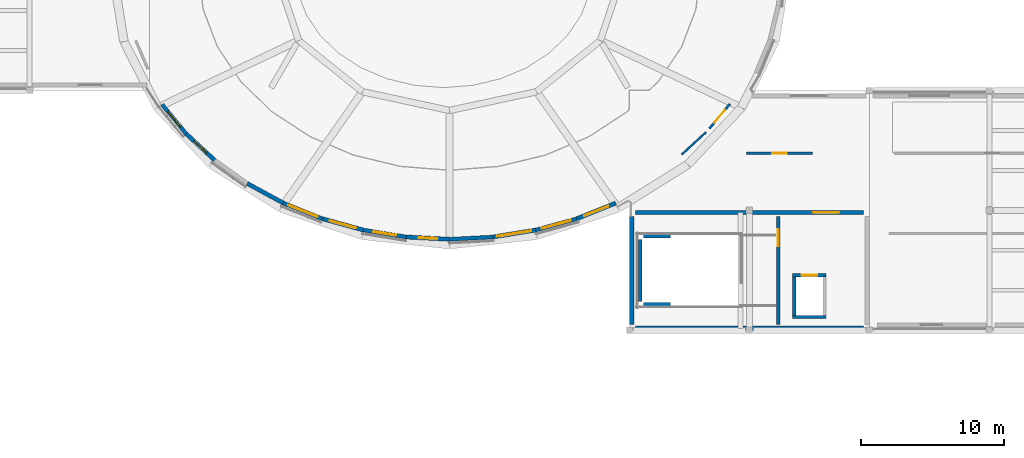
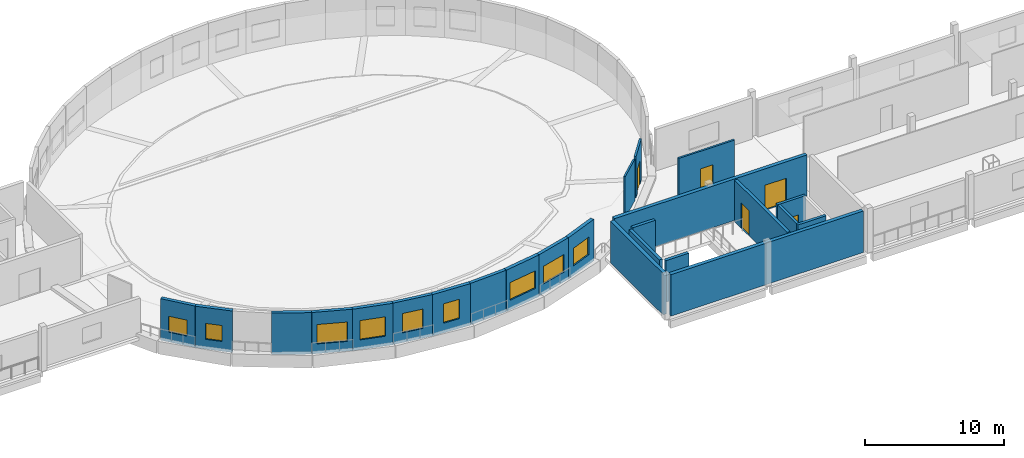
# One storey, part 7 of 16: 24 walls, 9 windows, 5 doors, 14 openings.
"""IFC4 building model written with IfcOpenShell, lengths in metres."""

from ifc_helpers import new_model, si_unit, derived_unit, direction, frame, frame_2d, origin, place, context, subcontext, project, spatial, rectangle, extrude, material, layer, layer_set, type_object, element, fill, save


model = new_model("IFC4")

# Units and contexts
model_context = context("Model", 3, precision=1e-05, world=origin(), true_north=direction((0.0, 1.0)))
body_context = subcontext(model_context, "Body", "Model", "MODEL_VIEW")
ifc_project = project(units=[si_unit("LENGTHUNIT", "METRE"), si_unit("AREAUNIT", "SQUARE_METRE"), si_unit("VOLUMEUNIT", "CUBIC_METRE"), si_unit("PLANEANGLEUNIT", "RADIAN"), si_unit("MASSUNIT", "GRAM", prefix="KILO"), derived_unit("THERMALTRANSMITTANCEUNIT", [(si_unit("POWERUNIT", "WATT"), 1), (si_unit("LENGTHUNIT", "METRE"), -2), (si_unit("THERMODYNAMICTEMPERATUREUNIT", "KELVIN"), -1)])], contexts=[model_context])

# Site, building, storey
site_placement = place(None, origin())
site = spatial("IfcSite", under=ifc_project, at=site_placement, CompositionType="ELEMENT")
building_placement = place(site_placement, origin())
building = spatial("IfcBuilding", under=site, at=building_placement, Name="Elbkamm Science Centre", CompositionType="ELEMENT")
storey_placement = place(building_placement, frame((0.0, 0.0, 21.60009765625)))
storey = spatial("IfcBuildingStorey", under=building, at=storey_placement, Name="L05", CompositionType="ELEMENT", Elevation=21.60009765625)

# Walls
ifc_material_1 = material(Name="Reinforced concrete C40/50", Category="concrete")
ifc_layer_1 = layer(ifc_material_1, 0.25)
ifc_layer_set_1 = layer_set([ifc_layer_1], Name="Reinforced concrete C40/50")
wall_type_1 = type_object("IfcWallType", Name="WL-CORE-250", PredefinedType="SHEAR", material=ifc_layer_set_1)
wall_1_placement = place(storey_placement, frame((76.340087890625, 44.02001953125, 0.0), z_axis=(0.0, 0.0, 1.0), x_axis=(0.0, 1.0, 0.0)))
element("IfcWall", 1, at=wall_1_placement, inside=storey, type_object=wall_type_1, Name="L05 ST-C2 Shaft Bearing Wall W", PredefinedType="SHEAR", context=body_context, shape_type="SweptSolid", body=[
    extrude(rectangle(XDim=4.35986328125, YDim=0.25, at=frame_2d((2.179931640625, 0.0))), origin(), (0.0, 0.0, 1.0), 3.639892578125),
])
for number, where, z_axis, x_axis, name in (
    (2, (76.590087890625, 43.820068359375, 0.0), (0.0, 0.0, 1.0), (1.0, 0.0, 0.0), "L05 ST-C2 Shaft Bearing Wall S"),
    (3, (76.590087890625, 48.580078125, 0.0), (0.0, 0.0, 1.0), (1.0, 0.0, 0.0), "L05 ST-C2 Shaft Bearing Wall N"),
):
    element("IfcWall", number, at=place(storey_placement, frame(where, z_axis=z_axis, x_axis=x_axis)), inside=storey, type_object=wall_type_1, Name=name, PredefinedType="SHEAR", context=body_context, shape_type="SweptSolid", body=[
        extrude(rectangle(XDim=1.889892578125, YDim=0.25, at=frame_2d((0.94482421875, 0.0))), origin(), (0.0, 0.0, 1.0), 3.639892578125),
    ])

# Wall, opening, door
wall_2_placement = place(storey_placement, frame((86.02001953125, 42.419921875, 0.0), z_axis=(0.0, 0.0, 1.0), x_axis=(0.0, 1.0, 0.0)))
wall_2 = element("IfcWall", 4, at=wall_2_placement, inside=storey, type_object=wall_type_1, Name="L05 C2 Stairwell Compartment Wall", PredefinedType="SHEAR", context=body_context, shape_type="SweptSolid", body=[
    extrude(rectangle(XDim=7.56005859375, YDim=0.25, at=frame_2d((3.780029296875, 0.0))), origin(), (0.0, 0.0, 1.0), 3.639892578125),
])
opening_1_placement = place(wall_2_placement, frame((5.4599609375, 0.0, 0.0)))
opening_1 = element("IfcOpeningElement", 5, at=opening_1_placement, cuts=wall_2, Name="Opening DC-02", PredefinedType="OPENING", context=body_context, shape_type="SweptSolid", body=[
    extrude(rectangle(XDim=1.199951171875, YDim=2.199951171875, at=frame_2d((0.60009765625, 1.10009765625))), frame((0.0, 0.136962890625, 0.0), z_axis=(0.0, -1.0, 0.0), x_axis=(1.0, 0.0, 0.0)), (0.0, 0.0, 1.0), 0.27392578125),
])
ifc_material_2 = material(Name="Fire-rated steel acoustic door", Category="steel")
ifc_layer_2 = layer(ifc_material_2, 0.050048828125)
ifc_layer_set_2 = layer_set([ifc_layer_2], Name="Fire-rated steel acoustic door")
door_type_1 = type_object("IfcDoorType", Name="DR-CORE-1200x2200", OperationType="NOTDEFINED", PredefinedType="DOOR", material=ifc_layer_set_2)
door_1_placement = place(opening_1_placement, origin())
door_1 = element("IfcDoor", 6, at=door_1_placement, inside=storey, type_object=door_type_1, Name="L05 ST-C2 Stairwell Fire Door", OperationType="SINGLE_SWING_RIGHT", OverallHeight=2.199951171875, OverallWidth=1.199951171875, PredefinedType="DOOR", context=body_context, shape_type="SweptSolid", body=[
    extrude(rectangle(XDim=1.199951171875, YDim=2.199951171875, at=frame_2d((0.60009765625, 1.10009765625))), frame((0.0, 0.02490234375, 0.0), z_axis=(0.0, -1.0, 0.0), x_axis=(1.0, 0.0, 0.0)), (0.0, 0.0, 1.0), 0.050048828125),
])
fill(opening_1, door_1)

# Wall
ifc_layer_3 = layer(ifc_material_1, 0.300048828125)
ifc_layer_set_3 = layer_set([ifc_layer_3], Name="Reinforced concrete C40/50")
wall_type_2 = type_object("IfcWallType", Name="WL-CORE-300", PredefinedType="SHEAR", material=ifc_layer_set_3)
wall_3_placement = place(storey_placement, frame((76.02001953125, 42.14990234375, 0.0), z_axis=(0.0, 0.0, 1.0), x_axis=(1.0, 0.0, 0.0)))
element("IfcWall", 7, at=wall_3_placement, inside=storey, type_object=wall_type_2, Name="L05 Core C2 Central Exhibition and Skybridge Core Shear Wall S", PredefinedType="SHEAR", context=body_context, shape_type="SweptSolid", body=[
    extrude(rectangle(XDim=15.9599609375, YDim=0.300048828125, at=frame_2d((7.97998046875, 0.0))), origin(), (0.0, 0.0, 1.0), 3.639892578125),
])

# Wall, opening, door
wall_4_placement = place(storey_placement, frame((76.02001953125, 50.25, 0.0), z_axis=(0.0, 0.0, 1.0), x_axis=(1.0, 0.0, 0.0)))
wall_4 = element("IfcWall", 8, at=wall_4_placement, inside=storey, type_object=wall_type_2, Name="L05 Core C2 Central Exhibition and Skybridge Core Shear Wall N", PredefinedType="SHEAR", context=body_context, shape_type="SweptSolid", body=[
    extrude(rectangle(XDim=15.9599609375, YDim=0.300048828125, at=frame_2d((7.97998046875, 0.0))), origin(), (0.0, 0.0, 1.0), 3.639892578125),
])
opening_2_placement = place(wall_4_placement, frame((12.4599609375, 0.0, 0.0)))
opening_2 = element("IfcOpeningElement", 9, at=opening_2_placement, cuts=wall_4, Name="Opening DC-01", PredefinedType="OPENING", context=body_context, shape_type="SweptSolid", body=[
    extrude(rectangle(XDim=1.800048828125, YDim=2.199951171875, at=frame_2d((0.89990234375, 1.10009765625))), frame((0.0, 0.162109375, 0.0), z_axis=(0.0, -1.0, 0.0), x_axis=(1.0, 0.0, 0.0)), (0.0, 0.0, 1.0), 0.323974609375),
])
ifc_layer_4 = layer(ifc_material_2, 0.050048828125)
ifc_layer_set_4 = layer_set([ifc_layer_4], Name="Fire-rated steel acoustic door")
door_type_2 = type_object("IfcDoorType", Name="DR-CORE-1800x2200", OperationType="DOUBLE_DOOR_SINGLE_SWING", PredefinedType="DOOR", material=ifc_layer_set_4)
door_2_placement = place(opening_2_placement, origin())
door_2 = element("IfcDoor", 10, at=door_2_placement, inside=storey, type_object=door_type_2, Name="L05 C2 Core Lobby Fire Door", OperationType="DOUBLE_DOOR_SINGLE_SWING", OverallHeight=2.199951171875, OverallWidth=1.800048828125, PredefinedType="DOOR", context=body_context, shape_type="SweptSolid", body=[
    extrude(rectangle(XDim=1.800048828125, YDim=2.199951171875, at=frame_2d((0.89990234375, 1.10009765625))), frame((0.0, 0.02490234375, 0.0), z_axis=(0.0, -1.0, 0.0), x_axis=(1.0, 0.0, 0.0)), (0.0, 0.0, 1.0), 0.050048828125),
])
fill(opening_2, door_2)

# Wall
wall_5_placement = place(storey_placement, frame((75.75, 42.419921875, 0.0), z_axis=(0.0, 0.0, 1.0), x_axis=(0.0, 1.0, 0.0)))
element("IfcWall", 11, at=wall_5_placement, inside=storey, type_object=wall_type_2, Name="L05 Core C2 Central Exhibition and Skybridge Core Shear Wall W", PredefinedType="SHEAR", context=body_context, shape_type="SweptSolid", body=[
    extrude(rectangle(XDim=7.56005859375, YDim=0.300048828125, at=frame_2d((3.780029296875, 0.0))), origin(), (0.0, 0.0, 1.0), 3.639892578125),
])

# Wall, opening, window
ifc_material_3 = material(Name="White precast concrete C40/50", Category="concrete")
ifc_layer_5 = layer(ifc_material_3, 0.27001953125)
ifc_layer_set_5 = layer_set([ifc_layer_5], Name="White precast concrete C40/50")
wall_type_3 = type_object("IfcWallType", Name="WL-EXT-270", PredefinedType="SOLIDWALL", material=ifc_layer_set_5)
wall_6_placement = place(storey_placement, frame((71.90966796875, 49.822021484375, 0.0), z_axis=(0.0, 0.0, 1.0), x_axis=(-0.963916809665, -0.26620365145, 0.0)))
wall_6 = element("IfcWall", 12, at=wall_6_placement, inside=storey, type_object=wall_type_3, Name="L05 Exterior Wall 0347", PredefinedType="SOLIDWALL", context=body_context, shape_type="SweptSolid", body=[
    extrude(rectangle(XDim=2.99072265625, YDim=0.27001953125, at=frame_2d((1.495361328125, 0.0))), origin(), (0.0, 0.0, 1.0), 3.639892578125),
])
opening_3_placement = place(wall_6_placement, frame((0.4453125, 0.0, 0.85009765625)))
opening_3 = element("IfcOpeningElement", 13, at=opening_3_placement, cuts=wall_6, Name="Opening W-12", PredefinedType="OPENING", context=body_context, shape_type="SweptSolid", body=[
    extrude(rectangle(XDim=2.10009765625, YDim=1.550048828125, at=frame_2d((1.050048828125, 0.77490234375))), frame((0.0, 0.14697265625, 0.0), z_axis=(0.0, -1.0, 0.0), x_axis=(1.0, 0.0, 0.0)), (0.0, 0.0, 1.0), 0.2939453125),
])
ifc_material_4 = material(Name="Thermally broken aluminium and triple solar glass", Category="aluminium")
ifc_layer_6 = layer(ifc_material_4, 0.06005859375)
ifc_layer_set_6 = layer_set([ifc_layer_6], Name="Thermally broken aluminium and triple solar glass")
window_type_1 = type_object("IfcWindowType", Name="WIN-2100x1550", PartitioningType="DOUBLE_PANEL_VERTICAL", PredefinedType="WINDOW", material=ifc_layer_set_6)
window_1_placement = place(opening_3_placement, origin())
window_1 = element("IfcWindow", 14, at=window_1_placement, inside=storey, type_object=window_type_1, Name="L05 Facade Window 0111", OverallHeight=1.550048828125, OverallWidth=2.10009765625, PartitioningType="SINGLE_PANEL", PredefinedType="WINDOW", context=body_context, shape_type="SweptSolid", body=[
    extrude(rectangle(XDim=2.10009765625, YDim=1.550048828125, at=frame_2d((1.050048828125, 0.77490234375))), frame((0.0, 0.030029296875, 0.0), z_axis=(0.0, -1.0, 0.0), x_axis=(1.0, 0.0, 0.0)), (0.0, 0.0, 1.0), 0.06005859375),
])
fill(opening_3, window_1)

# Wall
wall_7_placement = place(storey_placement, frame((66.039794921875, 48.542724609375, 0.0), z_axis=(0.0, 0.0, 1.0), x_axis=(-0.998581032149, -0.053253377668, 0.0)))
element("IfcWall", 15, at=wall_7_placement, inside=storey, type_object=wall_type_3, Name="L05 Exterior Wall 0349", PredefinedType="SOLIDWALL", context=body_context, shape_type="SweptSolid", body=[
    extrude(rectangle(XDim=3.044189453125, YDim=0.27001953125, at=frame_2d((1.52197265625, 0.0))), origin(), (0.0, 0.0, 1.0), 3.639892578125),
])

# Wall, opening, window
wall_8_placement = place(storey_placement, frame((59.960205078125, 48.542724609375, 0.0), z_axis=(0.0, 0.0, 1.0), x_axis=(-0.987169830198, 0.159673812339, 0.0)))
wall_8 = element("IfcWall", 16, at=wall_8_placement, inside=storey, type_object=wall_type_3, Name="L05 Exterior Wall 0351", PredefinedType="SOLIDWALL", context=body_context, shape_type="SweptSolid", body=[
    extrude(rectangle(XDim=3.02587890625, YDim=0.27001953125, at=frame_2d((1.512939453125, 0.0))), origin(), (0.0, 0.0, 1.0), 3.639892578125),
])
opening_4_placement = place(wall_8_placement, frame((0.712890625, 0.0, 0.85009765625)))
opening_4 = element("IfcOpeningElement", 17, at=opening_4_placement, cuts=wall_8, Name="Opening W-16", PredefinedType="OPENING", context=body_context, shape_type="SweptSolid", body=[
    extrude(rectangle(XDim=1.60009765625, YDim=1.699951171875, at=frame_2d((0.800048828125, 0.85009765625))), frame((0.0, 0.14697265625, 0.0), z_axis=(0.0, -1.0, 0.0), x_axis=(1.0, 0.0, 0.0)), (0.0, 0.0, 1.0), 0.2939453125),
])
ifc_layer_7 = layer(ifc_material_4, 0.06005859375)
ifc_layer_set_7 = layer_set([ifc_layer_7], Name="Thermally broken aluminium and triple solar glass")
window_type_2 = type_object("IfcWindowType", Name="WIN-1600x1700", PartitioningType="SINGLE_PANEL", PredefinedType="WINDOW", material=ifc_layer_set_7)
window_2_placement = place(opening_4_placement, origin())
window_2 = element("IfcWindow", 18, at=window_2_placement, inside=storey, type_object=window_type_2, Name="L05 Facade Window 0115", OverallHeight=1.699951171875, OverallWidth=1.60009765625, PartitioningType="SINGLE_PANEL", PredefinedType="WINDOW", context=body_context, shape_type="SweptSolid", body=[
    extrude(rectangle(XDim=1.60009765625, YDim=1.699951171875, at=frame_2d((0.800048828125, 0.85009765625))), frame((0.0, 0.030029296875, 0.0), z_axis=(0.0, -1.0, 0.0), x_axis=(1.0, 0.0, 0.0)), (0.0, 0.0, 1.0), 0.06005859375),
])
fill(opening_4, window_2)

wall_9_placement = place(storey_placement, frame((54.09033203125, 49.822021484375, 0.0), z_axis=(0.0, 0.0, 1.0), x_axis=(-0.928075222518, 0.372392778324, 0.0)))
wall_9 = element("IfcWall", 19, at=wall_9_placement, inside=storey, type_object=wall_type_3, Name="L05 Exterior Wall 0353", PredefinedType="SOLIDWALL", context=body_context, shape_type="SweptSolid", body=[
    extrude(rectangle(XDim=2.939697265625, YDim=0.27001953125, at=frame_2d((1.4697265625, 0.0))), origin(), (0.0, 0.0, 1.0), 3.639892578125),
])
opening_5_placement = place(wall_9_placement, frame((0.369873046875, 0.0, 0.85009765625)))
opening_5 = element("IfcOpeningElement", 20, at=opening_5_placement, cuts=wall_9, Name="Opening W-18", PredefinedType="OPENING", context=body_context, shape_type="SweptSolid", body=[
    extrude(rectangle(XDim=2.199951171875, YDim=1.699951171875, at=frame_2d((1.10009765625, 0.85009765625))), frame((0.0, 0.14697265625, 0.0), z_axis=(0.0, -1.0, 0.0), x_axis=(1.0, 0.0, 0.0)), (0.0, 0.0, 1.0), 0.2939453125),
])
ifc_layer_8 = layer(ifc_material_4, 0.06005859375)
ifc_layer_set_8 = layer_set([ifc_layer_8], Name="Thermally broken aluminium and triple solar glass")
window_type_3 = type_object("IfcWindowType", Name="WIN-2200x1700", PartitioningType="DOUBLE_PANEL_VERTICAL", PredefinedType="WINDOW", material=ifc_layer_set_8)
window_3_placement = place(opening_5_placement, origin())
window_3 = element("IfcWindow", 21, at=window_3_placement, inside=storey, type_object=window_type_3, Name="L05 Facade Window 0117", OverallHeight=1.699951171875, OverallWidth=2.199951171875, PartitioningType="SINGLE_PANEL", PredefinedType="WINDOW", context=body_context, shape_type="SweptSolid", body=[
    extrude(rectangle(XDim=2.199951171875, YDim=1.699951171875, at=frame_2d((1.10009765625, 0.85009765625))), frame((0.0, 0.030029296875, 0.0), z_axis=(0.0, -1.0, 0.0), x_axis=(1.0, 0.0, 0.0)), (0.0, 0.0, 1.0), 0.06005859375),
])
fill(opening_5, window_3)

wall_10_placement = place(storey_placement, frame((44.55419921875, 55.77294921875, 0.0), z_axis=(0.0, 0.0, 1.0), x_axis=(-0.634656882202, 0.772794048809, 0.0)))
wall_10 = element("IfcWall", 22, at=wall_10_placement, inside=storey, type_object=wall_type_3, Name="L05 Exterior Wall 0357", PredefinedType="SOLIDWALL", context=body_context, shape_type="SweptSolid", body=[
    extrude(rectangle(XDim=2.6494140625, YDim=0.27001953125, at=frame_2d((1.32470703125, 0.0))), origin(), (0.0, 0.0, 1.0), 3.639892578125),
])
opening_6_placement = place(wall_10_placement, frame((0.624755859375, 0.0, 0.85009765625)))
opening_6 = element("IfcOpeningElement", 23, at=opening_6_placement, cuts=wall_10, Name="Opening W-02", PredefinedType="OPENING", context=body_context, shape_type="SweptSolid", body=[
    extrude(rectangle(XDim=1.39990234375, YDim=1.39990234375, at=frame_2d((0.699951171875, 0.699951171875))), frame((0.0, 0.14697265625, 0.0), z_axis=(0.0, -1.0, 0.0), x_axis=(1.0, 0.0, 0.0)), (0.0, 0.0, 1.0), 0.2939453125),
])
ifc_layer_9 = layer(ifc_material_4, 0.06005859375)
ifc_layer_set_9 = layer_set([ifc_layer_9], Name="Thermally broken aluminium and triple solar glass")
window_type_4 = type_object("IfcWindowType", Name="WIN-1400x1400", PartitioningType="SINGLE_PANEL", PredefinedType="WINDOW", material=ifc_layer_set_9)
window_4_placement = place(opening_6_placement, origin())
window_4 = element("IfcWindow", 24, at=window_4_placement, inside=storey, type_object=window_type_4, Name="L05 Facade Window 0121", OverallHeight=1.39990234375, OverallWidth=1.39990234375, PartitioningType="SINGLE_PANEL", PredefinedType="WINDOW", context=body_context, shape_type="SweptSolid", body=[
    extrude(rectangle(XDim=1.39990234375, YDim=1.39990234375, at=frame_2d((0.699951171875, 0.699951171875))), frame((0.0, 0.030029296875, 0.0), z_axis=(0.0, -1.0, 0.0), x_axis=(1.0, 0.0, 0.0)), (0.0, 0.0, 1.0), 0.06005859375),
])
fill(opening_6, window_4)

ifc_layer_10 = layer(ifc_material_3, 0.2900390625)
ifc_layer_set_10 = layer_set([ifc_layer_10], Name="White precast concrete C40/50")
wall_type_4 = type_object("IfcWallType", Name="WL-EXT-290", PredefinedType="SOLIDWALL", material=ifc_layer_set_10)
wall_11_placement = place(storey_placement, frame((74.637939453125, 50.916748046875, 0.0), z_axis=(0.0, 0.0, 1.0), x_axis=(-0.928075222518, -0.372392778324, 0.0)))
wall_11 = element("IfcWall", 25, at=wall_11_placement, inside=storey, type_object=wall_type_4, Name="L05 Exterior Wall 0346", PredefinedType="SOLIDWALL", context=body_context, shape_type="SweptSolid", body=[
    extrude(rectangle(XDim=2.939697265625, YDim=0.2900390625, at=frame_2d((1.4697265625, 0.0))), origin(), (0.0, 0.0, 1.0), 3.639892578125),
])
opening_7_placement = place(wall_11_placement, frame((0.56982421875, 0.0, 0.85009765625)))
opening_7 = element("IfcOpeningElement", 26, at=opening_7_placement, cuts=wall_11, Name="Opening W-11", PredefinedType="OPENING", context=body_context, shape_type="SweptSolid", body=[
    extrude(rectangle(XDim=1.800048828125, YDim=1.550048828125, at=frame_2d((0.89990234375, 0.77490234375))), frame((0.0, 0.156982421875, 0.0), z_axis=(0.0, -1.0, 0.0), x_axis=(1.0, 0.0, 0.0)), (0.0, 0.0, 1.0), 0.31396484375),
])
ifc_layer_11 = layer(ifc_material_4, 0.06005859375)
ifc_layer_set_11 = layer_set([ifc_layer_11], Name="Thermally broken aluminium and triple solar glass")
window_type_5 = type_object("IfcWindowType", Name="WIN-1800x1550", PartitioningType="DOUBLE_PANEL_VERTICAL", PredefinedType="WINDOW", material=ifc_layer_set_11)
window_5_placement = place(opening_7_placement, origin())
window_5 = element("IfcWindow", 27, at=window_5_placement, inside=storey, type_object=window_type_5, Name="L05 Facade Window 0110", OverallHeight=1.550048828125, OverallWidth=1.800048828125, PartitioningType="SINGLE_PANEL", PredefinedType="WINDOW", context=body_context, shape_type="SweptSolid", body=[
    extrude(rectangle(XDim=1.800048828125, YDim=1.550048828125, at=frame_2d((0.89990234375, 0.77490234375))), frame((0.0, 0.030029296875, 0.0), z_axis=(0.0, -1.0, 0.0), x_axis=(1.0, 0.0, 0.0)), (0.0, 0.0, 1.0), 0.06005859375),
])
fill(opening_7, window_5)

wall_12_placement = place(storey_placement, frame((69.02685546875, 49.02587890625, 0.0), z_axis=(0.0, 0.0, 1.0), x_axis=(-0.987169830198, -0.159673812339, 0.0)))
wall_12 = element("IfcWall", 28, at=wall_12_placement, inside=storey, type_object=wall_type_4, Name="L05 Exterior Wall 0348", PredefinedType="SOLIDWALL", context=body_context, shape_type="SweptSolid", body=[
    extrude(rectangle(XDim=3.02587890625, YDim=0.2900390625, at=frame_2d((1.512939453125, 0.0))), origin(), (0.0, 0.0, 1.0), 3.639892578125),
])
opening_8_placement = place(wall_12_placement, frame((0.31298828125, 0.0, 0.85009765625)))
opening_8 = element("IfcOpeningElement", 29, at=opening_8_placement, cuts=wall_12, Name="Opening W-13", PredefinedType="OPENING", context=body_context, shape_type="SweptSolid", body=[
    extrude(rectangle(XDim=2.39990234375, YDim=1.550048828125, at=frame_2d((1.199951171875, 0.77490234375))), frame((0.0, 0.156982421875, 0.0), z_axis=(0.0, -1.0, 0.0), x_axis=(1.0, 0.0, 0.0)), (0.0, 0.0, 1.0), 0.31396484375),
])
ifc_layer_12 = layer(ifc_material_4, 0.06005859375)
ifc_layer_set_12 = layer_set([ifc_layer_12], Name="Thermally broken aluminium and triple solar glass")
window_type_6 = type_object("IfcWindowType", Name="WIN-2400x1550", PartitioningType="DOUBLE_PANEL_VERTICAL", PredefinedType="WINDOW", material=ifc_layer_set_12)
window_6_placement = place(opening_8_placement, origin())
window_6 = element("IfcWindow", 30, at=window_6_placement, inside=storey, type_object=window_type_6, Name="L05 Facade Window 0112", OverallHeight=1.550048828125, OverallWidth=2.39990234375, PartitioningType="SINGLE_PANEL", PredefinedType="WINDOW", context=body_context, shape_type="SweptSolid", body=[
    extrude(rectangle(XDim=2.39990234375, YDim=1.550048828125, at=frame_2d((1.199951171875, 0.77490234375))), frame((0.0, 0.030029296875, 0.0), z_axis=(0.0, -1.0, 0.0), x_axis=(1.0, 0.0, 0.0)), (0.0, 0.0, 1.0), 0.06005859375),
])
fill(opening_8, window_6)

wall_13_placement = place(storey_placement, frame((63.0, 48.380615234375, 0.0), z_axis=(0.0, 0.0, 1.0), x_axis=(-0.998581032149, 0.053253377668, 0.0)))
wall_13 = element("IfcWall", 31, at=wall_13_placement, inside=storey, type_object=wall_type_4, Name="L05 Exterior Wall 0350", PredefinedType="SOLIDWALL", context=body_context, shape_type="SweptSolid", body=[
    extrude(rectangle(XDim=3.044189453125, YDim=0.2900390625, at=frame_2d((1.52197265625, 0.0))), origin(), (0.0, 0.0, 1.0), 3.639892578125),
])
opening_9_placement = place(wall_13_placement, frame((0.8720703125, 0.0, 0.85009765625)))
opening_9 = element("IfcOpeningElement", 32, at=opening_9_placement, cuts=wall_13, Name="Opening W-15", PredefinedType="OPENING", context=body_context, shape_type="SweptSolid", body=[
    extrude(rectangle(XDim=1.300048828125, YDim=1.699951171875, at=frame_2d((0.64990234375, 0.85009765625))), frame((0.0, 0.156982421875, 0.0), z_axis=(0.0, -1.0, 0.0), x_axis=(1.0, 0.0, 0.0)), (0.0, 0.0, 1.0), 0.31396484375),
])
ifc_layer_13 = layer(ifc_material_4, 0.06005859375)
ifc_layer_set_13 = layer_set([ifc_layer_13], Name="Thermally broken aluminium and triple solar glass")
window_type_7 = type_object("IfcWindowType", Name="WIN-1300x1700", PartitioningType="SINGLE_PANEL", PredefinedType="WINDOW", material=ifc_layer_set_13)
window_7_placement = place(opening_9_placement, origin())
window_7 = element("IfcWindow", 33, at=window_7_placement, inside=storey, type_object=window_type_7, Name="L05 Facade Window 0114", OverallHeight=1.699951171875, OverallWidth=1.300048828125, PartitioningType="SINGLE_PANEL", PredefinedType="WINDOW", context=body_context, shape_type="SweptSolid", body=[
    extrude(rectangle(XDim=1.300048828125, YDim=1.699951171875, at=frame_2d((0.64990234375, 0.85009765625))), frame((0.0, 0.030029296875, 0.0), z_axis=(0.0, -1.0, 0.0), x_axis=(1.0, 0.0, 0.0)), (0.0, 0.0, 1.0), 0.06005859375),
])
fill(opening_9, window_7)

wall_14_placement = place(storey_placement, frame((56.97314453125, 49.02587890625, 0.0), z_axis=(0.0, 0.0, 1.0), x_axis=(-0.963916809665, 0.26620365145, 0.0)))
wall_14 = element("IfcWall", 34, at=wall_14_placement, inside=storey, type_object=wall_type_4, Name="L05 Exterior Wall 0352", PredefinedType="SOLIDWALL", context=body_context, shape_type="SweptSolid", body=[
    extrude(rectangle(XDim=2.99072265625, YDim=0.2900390625, at=frame_2d((1.495361328125, 0.0))), origin(), (0.0, 0.0, 1.0), 3.639892578125),
])
opening_10_placement = place(wall_14_placement, frame((0.54541015625, 0.0, 0.85009765625)))
opening_10 = element("IfcOpeningElement", 35, at=opening_10_placement, cuts=wall_14, Name="Opening W-17", PredefinedType="OPENING", context=body_context, shape_type="SweptSolid", body=[
    extrude(rectangle(XDim=1.89990234375, YDim=1.699951171875, at=frame_2d((0.949951171875, 0.85009765625))), frame((0.0, 0.156982421875, 0.0), z_axis=(0.0, -1.0, 0.0), x_axis=(1.0, 0.0, 0.0)), (0.0, 0.0, 1.0), 0.31396484375),
])
ifc_layer_14 = layer(ifc_material_4, 0.06005859375)
ifc_layer_set_14 = layer_set([ifc_layer_14], Name="Thermally broken aluminium and triple solar glass")
window_type_8 = type_object("IfcWindowType", Name="WIN-1900x1700", PartitioningType="DOUBLE_PANEL_VERTICAL", PredefinedType="WINDOW", material=ifc_layer_set_14)
window_8_placement = place(opening_10_placement, origin())
window_8 = element("IfcWindow", 36, at=window_8_placement, inside=storey, type_object=window_type_8, Name="L05 Facade Window 0116", OverallHeight=1.699951171875, OverallWidth=1.89990234375, PartitioningType="SINGLE_PANEL", PredefinedType="WINDOW", context=body_context, shape_type="SweptSolid", body=[
    extrude(rectangle(XDim=1.89990234375, YDim=1.699951171875, at=frame_2d((0.949951171875, 0.85009765625))), frame((0.0, 0.030029296875, 0.0), z_axis=(0.0, -1.0, 0.0), x_axis=(1.0, 0.0, 0.0)), (0.0, 0.0, 1.0), 0.06005859375),
])
fill(opening_10, window_8)

# Wall
wall_15_placement = place(storey_placement, frame((51.362060546875, 50.916748046875, 0.0), z_axis=(0.0, 0.0, 1.0), x_axis=(-0.878608251209, 0.477543234596, 0.0)))
element("IfcWall", 37, at=wall_15_placement, inside=storey, type_object=wall_type_4, Name="L05 Exterior Wall 0354", PredefinedType="SOLIDWALL", context=body_context, shape_type="SweptSolid", body=[
    extrude(rectangle(XDim=2.876220703125, YDim=0.2900390625, at=frame_2d((1.43798828125, 0.0))), origin(), (0.0, 0.0, 1.0), 3.639892578125),
])

# Wall, opening, window
wall_16_placement = place(storey_placement, frame((46.552978515625, 53.918701171875, 0.0), z_axis=(0.0, 0.0, 1.0), x_axis=(-0.733115530852, 0.680104123222, 0.0)))
wall_16 = element("IfcWall", 38, at=wall_16_placement, inside=storey, type_object=wall_type_4, Name="L05 Exterior Wall 0356", PredefinedType="SOLIDWALL", context=body_context, shape_type="SweptSolid", body=[
    extrude(rectangle(XDim=2.726318359375, YDim=0.2900390625, at=frame_2d((1.36328125, 0.0))), origin(), (0.0, 0.0, 1.0), 3.639892578125),
])
opening_11_placement = place(wall_16_placement, frame((0.76318359375, 0.0, 0.85009765625)))
opening_11 = element("IfcOpeningElement", 39, at=opening_11_placement, cuts=wall_16, Name="Opening W-01", PredefinedType="OPENING", context=body_context, shape_type="SweptSolid", body=[
    extrude(rectangle(XDim=1.199951171875, YDim=1.39990234375, at=frame_2d((0.60009765625, 0.699951171875))), frame((0.0, 0.156982421875, 0.0), z_axis=(0.0, -1.0, 0.0), x_axis=(1.0, 0.0, 0.0)), (0.0, 0.0, 1.0), 0.31396484375),
])
ifc_layer_15 = layer(ifc_material_4, 0.06005859375)
ifc_layer_set_15 = layer_set([ifc_layer_15], Name="Thermally broken aluminium and triple solar glass")
window_type_9 = type_object("IfcWindowType", Name="WIN-1200x1400", PartitioningType="SINGLE_PANEL", PredefinedType="WINDOW", material=ifc_layer_set_15)
window_9_placement = place(opening_11_placement, origin())
window_9 = element("IfcWindow", 40, at=window_9_placement, inside=storey, type_object=window_type_9, Name="L05 Facade Window 0120", OverallHeight=1.39990234375, OverallWidth=1.199951171875, PartitioningType="SINGLE_PANEL", PredefinedType="WINDOW", context=body_context, shape_type="SweptSolid", body=[
    extrude(rectangle(XDim=1.199951171875, YDim=1.39990234375, at=frame_2d((0.60009765625, 0.699951171875))), frame((0.0, 0.030029296875, 0.0), z_axis=(0.0, -1.0, 0.0), x_axis=(1.0, 0.0, 0.0)), (0.0, 0.0, 1.0), 0.06005859375),
])
fill(opening_11, window_9)

# Wall
ifc_material_5 = material(Name="Acoustic metal-stud gypsum partition", Category="gypsum")
ifc_layer_16 = layer(ifc_material_5, 0.139892578125)
ifc_layer_set_16 = layer_set([ifc_layer_16], Name="Acoustic metal-stud gypsum partition")
wall_type_5 = type_object("IfcWallType", Name="WL-PART-140", PredefinedType="PARTITIONING", material=ifc_layer_set_16)
wall_17_placement = place(storey_placement, frame((80.9560546875, 55.876953125, 0.0), z_axis=(0.0, 0.0, 1.0), x_axis=(-0.735846840079, -0.677148010368, 0.0)))
element("IfcWall", 41, at=wall_17_placement, inside=storey, type_object=wall_type_5, Name="L05 Shell Ring Mezzanine Exhibition Gallery Partition 0273", PredefinedType="PARTITIONING", context=body_context, shape_type="SweptSolid", body=[
    extrude(rectangle(XDim=2.3125, YDim=0.139892578125, at=frame_2d((1.15625, 0.0))), origin(), (0.0, 0.0, 1.0), 3.639892578125),
])

# Wall, opening, door
ifc_layer_17 = layer(ifc_material_5, 0.159912109375)
ifc_layer_set_17 = layer_set([ifc_layer_17], Name="Acoustic metal-stud gypsum partition")
wall_type_6 = type_object("IfcWallType", Name="WL-PART-160", PredefinedType="PARTITIONING", material=ifc_layer_set_17)
wall_18_placement = place(storey_placement, frame((82.630615234375, 57.861328125, 0.0), z_axis=(0.0, 0.0, 1.0), x_axis=(-0.637723979736, -0.770264971078, 0.0)))
wall_18 = element("IfcWall", 42, at=wall_18_placement, inside=storey, type_object=wall_type_6, Name="L05 Shell Ring Mezzanine Exhibition Gallery Partition 0272", PredefinedType="PARTITIONING", context=body_context, shape_type="SweptSolid", body=[
    extrude(rectangle(XDim=2.238037109375, YDim=0.159912109375, at=frame_2d((1.119140625, 0.0))), origin(), (0.0, 0.0, 1.0), 3.639892578125),
])
opening_12_placement = place(wall_18_placement, frame((0.5439453125, 0.0, 0.0)))
opening_12 = element("IfcOpeningElement", 43, at=opening_12_placement, cuts=wall_18, Name="Opening DI-05", PredefinedType="OPENING", context=body_context, shape_type="SweptSolid", body=[
    extrude(rectangle(XDim=1.14990234375, YDim=2.14990234375, at=frame_2d((0.574951171875, 1.074951171875))), frame((0.0, 0.091796875, 0.0), z_axis=(0.0, -1.0, 0.0), x_axis=(1.0, 0.0, 0.0)), (0.0, 0.0, 1.0), 0.183837890625),
])
ifc_material_6 = material(Name="Acoustic oak veneer door")
ifc_layer_18 = layer(ifc_material_6, 0.050048828125)
ifc_layer_set_18 = layer_set([ifc_layer_18], Name="Acoustic oak veneer door")
door_type_3 = type_object("IfcDoorType", Name="DR-INT-1150x2150", OperationType="NOTDEFINED", PredefinedType="DOOR", material=ifc_layer_set_18)
door_3_placement = place(opening_12_placement, origin())
door_3 = element("IfcDoor", 44, at=door_3_placement, inside=storey, type_object=door_type_3, Name="L05 Shell Ring Mezzanine Exhibition Gallery Door", OperationType="SINGLE_SWING_RIGHT", OverallHeight=2.14990234375, OverallWidth=1.14990234375, PredefinedType="DOOR", context=body_context, shape_type="SweptSolid", body=[
    extrude(rectangle(XDim=1.14990234375, YDim=2.14990234375, at=frame_2d((0.574951171875, 1.074951171875))), frame((0.0, 0.02490234375, 0.0), z_axis=(0.0, -1.0, 0.0), x_axis=(1.0, 0.0, 0.0)), (0.0, 0.0, 1.0), 0.050048828125),
])
fill(opening_12, door_3)

wall_19_placement = place(storey_placement, frame((88.419921875, 54.39990234375, 0.0), z_axis=(0.0, 0.0, 1.0), x_axis=(-1.0, 0.0, 0.0)))
wall_19 = element("IfcWall", 45, at=wall_19_placement, inside=storey, type_object=wall_type_6, Name="L05 Accessible WC L05 Partition 0276", PredefinedType="PARTITIONING", context=body_context, shape_type="SweptSolid", body=[
    extrude(rectangle(XDim=4.639892578125, YDim=0.159912109375, at=frame_2d((2.31982421875, 0.0))), origin(), (0.0, 0.0, 1.0), 3.639892578125),
])
opening_13_placement = place(wall_19_placement, frame((1.820068359375, 0.0, 0.0)))
opening_13 = element("IfcOpeningElement", 46, at=opening_13_placement, cuts=wall_19, Name="Opening DI-10", PredefinedType="OPENING", context=body_context, shape_type="SweptSolid", body=[
    extrude(rectangle(XDim=1.0, YDim=2.10009765625, at=frame_2d((0.5, 1.050048828125))), frame((0.0, 0.091796875, 0.0), z_axis=(0.0, -1.0, 0.0), x_axis=(1.0, 0.0, 0.0)), (0.0, 0.0, 1.0), 0.183837890625),
])
ifc_material_7 = material(Name="Powder-coated aluminium accessible WC door", Category="aluminium")
ifc_layer_19 = layer(ifc_material_7, 0.050048828125)
ifc_layer_set_19 = layer_set([ifc_layer_19], Name="Powder-coated aluminium accessible WC door")
door_type_4 = type_object("IfcDoorType", Name="DR-AWC-1000x2100", OperationType="NOTDEFINED", PredefinedType="DOOR", material=ifc_layer_set_19)
door_4_placement = place(opening_13_placement, origin())
door_4 = element("IfcDoor", 47, at=door_4_placement, inside=storey, type_object=door_type_4, Name="L05 Accessible WC L05 Door", OperationType="SINGLE_SWING_LEFT", OverallHeight=2.10009765625, OverallWidth=1.0, PredefinedType="DOOR", context=body_context, shape_type="SweptSolid", body=[
    extrude(rectangle(XDim=1.0, YDim=2.10009765625, at=frame_2d((0.5, 1.050048828125))), frame((0.0, 0.02490234375, 0.0), z_axis=(0.0, -1.0, 0.0), x_axis=(1.0, 0.0, 0.0)), (0.0, 0.0, 1.0), 0.050048828125),
])
fill(opening_13, door_4)

# Walls
ifc_layer_20 = layer(ifc_material_1, 0.219970703125)
ifc_layer_set_20 = layer_set([ifc_layer_20], Name="Reinforced concrete C40/50")
wall_type_7 = type_object("IfcWallType", Name="WL-SHAFT-220", PredefinedType="SOLIDWALL", material=ifc_layer_set_20)
wall_20_placement = place(storey_placement, frame((87.139892578125, 43.050048828125, 0.0), z_axis=(0.0, 0.0, 1.0), x_axis=(0.0, 1.0, 0.0)))
element("IfcWall", 48, at=wall_20_placement, inside=storey, type_object=wall_type_7, Name="L05 Lift FF2 Shaft West Wall", PredefinedType="SOLIDWALL", context=body_context, shape_type="SweptSolid", body=[
    extrude(rectangle(XDim=2.699951171875, YDim=0.219970703125, at=frame_2d((1.35009765625, 0.0))), origin(), (0.0, 0.0, 1.0), 3.639892578125),
])
wall_21_placement = place(storey_placement, frame((87.030029296875, 42.93994140625, 0.0), z_axis=(0.0, 0.0, 1.0), x_axis=(1.0, 0.0, 0.0)))
element("IfcWall", 49, at=wall_21_placement, inside=storey, type_object=wall_type_7, Name="L05 Lift FF2 Shaft Back Wall", PredefinedType="SOLIDWALL", context=body_context, shape_type="SweptSolid", body=[
    extrude(rectangle(XDim=2.340087890625, YDim=0.219970703125, at=frame_2d((1.169921875, 0.0))), origin(), (0.0, 0.0, 1.0), 3.639892578125),
])

# Wall, opening, door
wall_22_placement = place(storey_placement, frame((87.030029296875, 45.860107421875, 0.0), z_axis=(0.0, 0.0, 1.0), x_axis=(1.0, 0.0, 0.0)))
wall_22 = element("IfcWall", 50, at=wall_22_placement, inside=storey, type_object=wall_type_7, Name="L05 Lift FF2 Shaft Front Wall", PredefinedType="SOLIDWALL", context=body_context, shape_type="SweptSolid", body=[
    extrude(rectangle(XDim=2.340087890625, YDim=0.219970703125, at=frame_2d((1.169921875, 0.0))), origin(), (0.0, 0.0, 1.0), 3.639892578125),
])
opening_14_placement = place(wall_22_placement, frame((0.6201171875, 0.0, 0.0)))
opening_14 = element("IfcOpeningElement", 51, at=opening_14_placement, cuts=wall_22, Name="Opening LD-01", PredefinedType="OPENING", context=body_context, shape_type="SweptSolid", body=[
    extrude(rectangle(XDim=1.10009765625, YDim=2.14990234375, at=frame_2d((0.550048828125, 1.074951171875))), frame((0.0, 0.1220703125, 0.0), z_axis=(0.0, -1.0, 0.0), x_axis=(1.0, 0.0, 0.0)), (0.0, 0.0, 1.0), 0.243896484375),
])
ifc_material_8 = material(Name="Stainless steel lift landing door", Category="steel")
ifc_layer_21 = layer(ifc_material_8, 0.050048828125)
ifc_layer_set_21 = layer_set([ifc_layer_21], Name="Stainless steel lift landing door")
door_type_5 = type_object("IfcDoorType", Name="DR-LIFT-1100x2150", OperationType="DOUBLE_DOOR_SLIDING", PredefinedType="DOOR", material=ifc_layer_set_21)
door_5_placement = place(opening_14_placement, origin())
door_5 = element("IfcDoor", 52, at=door_5_placement, inside=storey, type_object=door_type_5, Name="L05 Lift FF2 Sliding Landing Door", OperationType="DOUBLE_DOOR_SLIDING", OverallHeight=2.14990234375, OverallWidth=1.10009765625, PredefinedType="DOOR", context=body_context, shape_type="SweptSolid", body=[
    extrude(rectangle(XDim=1.10009765625, YDim=2.14990234375, at=frame_2d((0.550048828125, 1.074951171875))), frame((0.0, 0.02490234375, 0.0), z_axis=(0.0, -1.0, 0.0), x_axis=(1.0, 0.0, 0.0)), (0.0, 0.0, 1.0), 0.050048828125),
])
fill(opening_14, door_5)

save(model, "model.ifc")
